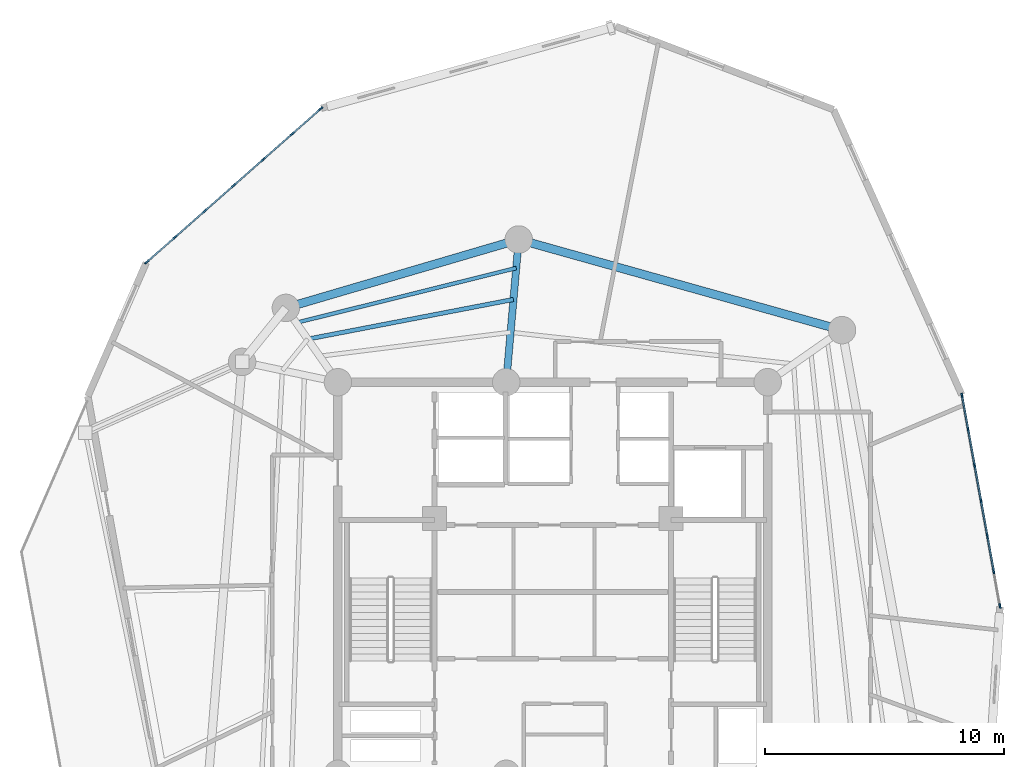
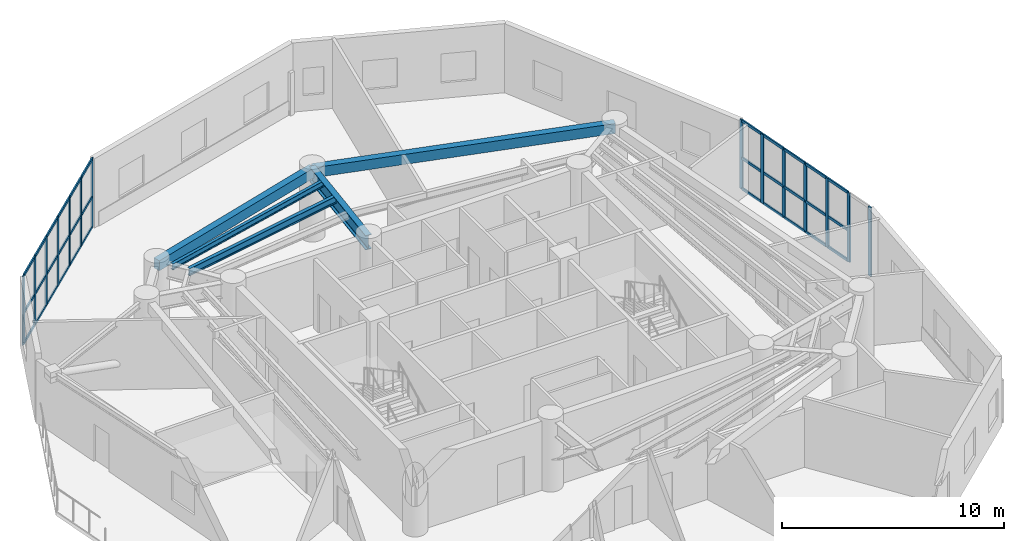
# One storey, part 4 of 12: 47 members, 5 beams, 2 elements without a shape of their own.
"""IFC4 building model written with IfcOpenShell, lengths in metres."""

from ifc_helpers import new_model, si_unit, direction, frame, origin, origin_with_axes, origin_2d, place, context, subcontext, project, spatial, rectangle, i_section, extrude, source, transform, mapped, material, layer, layer_set, material_profile, profile_set, type_object, element, aggregate, save


model = new_model("IFC4")

# Units and contexts
model_context = context("Model", 3, precision=1e-05, world=origin(), true_north=direction((0.0, 1.0)))
body_context = subcontext(model_context, "Body", "Model", "MODEL_VIEW")
ifc_project = project(units=[si_unit("LENGTHUNIT", "METRE"), si_unit("AREAUNIT", "SQUARE_METRE"), si_unit("VOLUMEUNIT", "CUBIC_METRE"), si_unit("PLANEANGLEUNIT", "RADIAN"), si_unit("MASSUNIT", "GRAM", prefix="KILO")], contexts=[model_context])

# Site, building, storey
site_placement = place(None, origin())
site = spatial("IfcSite", under=ifc_project, at=site_placement, CompositionType="ELEMENT")
building_placement = place(site_placement, origin())
building = spatial("IfcBuilding", under=site, at=building_placement, Name="Karkom Vertical University and Central Library", CompositionType="ELEMENT")
storey_placement = place(building_placement, frame((0.0, 0.0, 212.89990234375)))
storey = spatial("IfcBuildingStorey", under=building, at=storey_placement, Name="L62", CompositionType="ELEMENT", Elevation=212.89990234375)

# Beams
ifc_material_1 = material(Name="Steel S355", Category="steel")
ifc_material_profile_1 = material_profile(ifc_material_1, i_section(OverallWidth=0.300048828125, OverallDepth=0.800048828125, WebThickness=0.017578125, FlangeThickness=0.032958984375, FilletRadius=0.030029296875, at=origin_2d()), Name="HE 800 B")
ifc_profile_set_1 = profile_set([ifc_material_profile_1], Name="Steel S355")
beam_type_1 = type_object("IfcBeamType", Name="STR-BM-SB-HE800", PredefinedType="USERDEFINED", material=ifc_profile_set_1)
shared_shape_1 = source(origin_with_axes(), body_context, "Body", "SweptSolid", [
    extrude(i_section(OverallWidth=0.300048828125, OverallDepth=0.800048828125, WebThickness=0.017578125, FlangeThickness=0.032958984375, FilletRadius=0.030029296875, at=origin_2d()), origin(), (0.0, 0.0, 1.0), 6.0),
])
beam_1_placement = place(storey_placement, frame((26.550048828125, 34.699951171875, 3.400146484375), z_axis=(0.087159883478, 0.996194335816, 0.0), x_axis=(-0.996194335816, 0.087159883478, 0.0)))
element("IfcBeam", 1, at=beam_1_placement, inside=storey, type_object=beam_type_1, Name="Level 62 Radial Frame Girder 03", ObjectType="GIRDER", PredefinedType="USERDEFINED", context=body_context, shape_type="MappedRepresentation", body=[
    mapped(shared_shape_1, transform((0.0, 0.0, 0.0), scale=1.0)),
])
ifc_material_2 = material(Name="Precast concrete C45/55", Category="concrete")
ifc_material_profile_2 = material_profile(ifc_material_2, rectangle(XDim=0.35009765625, YDim=0.550048828125, at=origin_2d()), Name="SPB-350x550")
ifc_profile_set_2 = profile_set([ifc_material_profile_2], Name="Precast concrete C45/55")
beam_type_2 = type_object("IfcBeamType", Name="STR-BM-SP-2", PredefinedType="SPANDREL", material=ifc_profile_set_2)
shared_shape_2 = source(origin_with_axes(), body_context, "Body", "SweptSolid", [
    extrude(rectangle(XDim=0.35009765625, YDim=0.550048828125, at=origin_2d()), origin(), (0.0, 0.0, 1.0), 14.0625),
])
beam_2_placement = place(storey_placement, frame((40.613037109375, 36.8798828125, 3.525146484375), z_axis=(-0.962854853531, 0.270019501207, 0.0), x_axis=(-0.270019501207, -0.962854853531, 0.0)))
element("IfcBeam", 2, at=beam_2_placement, inside=storey, type_object=beam_type_2, Name="Level 62 Perimeter Spandrel Beam 02", PredefinedType="SPANDREL", context=body_context, shape_type="MappedRepresentation", body=[
    mapped(shared_shape_2, transform((0.0, 0.0, 0.0), scale=1.0)),
])
shared_shape_3 = source(origin_with_axes(), body_context, "Body", "SweptSolid", [
    extrude(rectangle(XDim=0.35009765625, YDim=0.550048828125, at=origin_2d()), origin(), (0.0, 0.0, 1.0), 10.164794921875),
])
beam_3_placement = place(storey_placement, frame((27.072998046875, 40.677001953125, 3.525146484375), z_axis=(-0.959485124536, -0.281759286971, 0.0), x_axis=(0.281759286971, -0.959485124536, 0.0)))
element("IfcBeam", 3, at=beam_3_placement, inside=storey, type_object=beam_type_2, Name="Level 62 Perimeter Spandrel Beam 03", PredefinedType="SPANDREL", context=body_context, shape_type="MappedRepresentation", body=[
    mapped(shared_shape_3, transform((0.0, 0.0, 0.0), scale=1.0)),
])
ifc_material_profile_3 = material_profile(ifc_material_1, i_section(OverallWidth=0.179931640625, OverallDepth=0.39990234375, WebThickness=0.008544921875, FlangeThickness=0.013427734375, FilletRadius=0.02099609375, at=origin_2d()), Name="IPE 400")
ifc_profile_set_3 = profile_set([ifc_material_profile_3], Name="Steel S355")
beam_type_3 = type_object("IfcBeamType", Name="STR-BM-SB-IPE400", PredefinedType="BEAM", material=ifc_profile_set_3)
shared_shape_4 = source(origin_with_axes(), body_context, "Body", "SweptSolid", [
    extrude(i_section(OverallWidth=0.179931640625, OverallDepth=0.39990234375, WebThickness=0.008544921875, FlangeThickness=0.013427734375, FilletRadius=0.02099609375, at=origin_2d()), origin(), (0.0, 0.0, 1.0), 8.7763671875),
])
beam_4_placement = place(storey_placement, frame((26.853271484375, 38.166748046875, 3.60009765625), z_axis=(-0.981924209256, -0.189274528862, 0.0), x_axis=(0.189274528862, -0.981924209256, 0.0)))
element("IfcBeam", 4, at=beam_4_placement, inside=storey, type_object=beam_type_3, Name="Level 62 Secondary Composite Floor Beam 2.03", PredefinedType="BEAM", context=body_context, shape_type="MappedRepresentation", body=[
    mapped(shared_shape_4, transform((0.0, 0.0, 0.0), scale=1.0)),
])
ifc_material_profile_4 = material_profile(ifc_material_1, i_section(OverallWidth=0.159912109375, OverallDepth=0.330078125, WebThickness=0.007568359375, FlangeThickness=0.011474609375, FilletRadius=0.01806640625, at=origin_2d()), Name="IPE 330")
ifc_profile_set_4 = profile_set([ifc_material_profile_4], Name="Steel S355")
beam_type_4 = type_object("IfcBeamType", Name="STR-BM-SB-IPE330", PredefinedType="BEAM", material=ifc_profile_set_4)
shared_shape_5 = source(origin_with_axes(), body_context, "Body", "SweptSolid", [
    extrude(i_section(OverallWidth=0.159912109375, OverallDepth=0.330078125, WebThickness=0.007568359375, FlangeThickness=0.011474609375, FilletRadius=0.01806640625, at=origin_2d()), origin(), (0.0, 0.0, 1.0), 9.4931640625),
])
beam_5_placement = place(storey_placement, frame((26.968505859375, 39.481689453125, 3.635009765625), z_axis=(-0.970435275293, -0.241361505767, 0.0), x_axis=(0.241361505767, -0.970435275293, 0.0)))
element("IfcBeam", 5, at=beam_5_placement, inside=storey, type_object=beam_type_4, Name="Level 62 Secondary Composite Floor Beam 3.03", PredefinedType="BEAM", context=body_context, shape_type="MappedRepresentation", body=[
    mapped(shared_shape_5, transform((0.0, 0.0, 0.0), scale=1.0)),
])

# Curtain wall, members
ifc_material_3 = material(Name="Aluminium curtain-wall framing and low-E IGU", Category="aluminium")
ifc_layer = layer(ifc_material_3, 0.199951171875)
ifc_layer_set = layer_set([ifc_layer], Name="Aluminium curtain-wall framing and low-E IGU")
curtain_wall_type = type_object("IfcCurtainWallType", Name="ENV-CW-5", PredefinedType="USERDEFINED", material=ifc_layer_set)
curtain_wall_1_placement = place(storey_placement, origin())
curtain_wall_1 = element("IfcCurtainWall", 6, at=curtain_wall_1_placement, inside=storey, type_object=curtain_wall_type, Name="Level 62 CW-5 Curtain Wall L62-CW5-06", ObjectType="UNITISED GLAZING", PredefinedType="USERDEFINED")
ifc_material_4 = material(Name="Anodised Aluminium 6063-T6", Category="aluminium")
ifc_material_profile_5 = material_profile(ifc_material_4, rectangle(XDim=0.070068359375, YDim=0.199951171875, at=origin_2d()), Name="ALU-M70x200")
ifc_profile_set_5 = profile_set([ifc_material_profile_5], Name="Anodised Aluminium 6063-T6")
member_type_1 = type_object("IfcMemberType", Name="ENV-MEM-ALU-M70x200", PredefinedType="MULLION", material=ifc_profile_set_5)
shared_shape_6 = source(origin_with_axes(), body_context, "Body", "SweptSolid", [
    extrude(rectangle(XDim=0.070068359375, YDim=0.199951171875, at=origin_2d()), origin(), (0.0, 0.0, 1.0), 3.800048828125),
])
member_1_placement = place(storey_placement, frame((47.2275390625, 25.333251953125, 0.0), z_axis=(0.0, 0.0, 1.0), x_axis=(-0.984071738605, -0.177771801137, 0.0)))
member_1 = element("IfcMember", 7, at=member_1_placement, type_object=member_type_1, Name="CW-5 mullion 1", PredefinedType="MULLION", context=body_context, shape_type="MappedRepresentation", body=[
    mapped(shared_shape_6, transform((0.0, 0.0, 0.0), scale=1.0)),
])
member_2_placement = place(storey_placement, frame((46.96630859375, 26.77880859375, 0.0), z_axis=(0.0, 0.0, 1.0), x_axis=(-0.984071738605, -0.177771801137, 0.0)))
member_2 = element("IfcMember", 8, at=member_2_placement, type_object=member_type_1, Name="CW-5 mullion 2", PredefinedType="MULLION", context=body_context, shape_type="MappedRepresentation", body=[
    mapped(shared_shape_6, transform((0.0, 0.0, 0.0), scale=1.0)),
])
member_3_placement = place(storey_placement, frame((46.698974609375, 28.259033203125, 0.0), z_axis=(0.0, 0.0, 1.0), x_axis=(-0.984071738605, -0.177771801137, 0.0)))
member_3 = element("IfcMember", 9, at=member_3_placement, type_object=member_type_1, Name="CW-5 mullion 3", PredefinedType="MULLION", context=body_context, shape_type="MappedRepresentation", body=[
    mapped(shared_shape_6, transform((0.0, 0.0, 0.0), scale=1.0)),
])
member_4_placement = place(storey_placement, frame((46.431640625, 29.7392578125, 0.0), z_axis=(0.0, 0.0, 1.0), x_axis=(-0.984071738605, -0.177771801137, 0.0)))
member_4 = element("IfcMember", 10, at=member_4_placement, type_object=member_type_1, Name="CW-5 mullion 4", PredefinedType="MULLION", context=body_context, shape_type="MappedRepresentation", body=[
    mapped(shared_shape_6, transform((0.0, 0.0, 0.0), scale=1.0)),
])
member_5_placement = place(storey_placement, frame((46.164306640625, 31.219482421875, 0.0), z_axis=(0.0, 0.0, 1.0), x_axis=(-0.984071738605, -0.177771801137, 0.0)))
member_5 = element("IfcMember", 11, at=member_5_placement, type_object=member_type_1, Name="CW-5 mullion 5", PredefinedType="MULLION", context=body_context, shape_type="MappedRepresentation", body=[
    mapped(shared_shape_6, transform((0.0, 0.0, 0.0), scale=1.0)),
])
member_6_placement = place(storey_placement, frame((45.896728515625, 32.69970703125, 0.0), z_axis=(0.0, 0.0, 1.0), x_axis=(-0.984071738605, -0.177771801137, 0.0)))
member_6 = element("IfcMember", 12, at=member_6_placement, type_object=member_type_1, Name="CW-5 mullion 6", PredefinedType="MULLION", context=body_context, shape_type="MappedRepresentation", body=[
    mapped(shared_shape_6, transform((0.0, 0.0, 0.0), scale=1.0)),
])
member_7_placement = place(storey_placement, frame((45.6357421875, 34.1455078125, 0.0), z_axis=(0.0, 0.0, 1.0), x_axis=(-0.984071738605, -0.177771801137, 0.0)))
member_7 = element("IfcMember", 13, at=member_7_placement, type_object=member_type_1, Name="CW-5 mullion 7", PredefinedType="MULLION", context=body_context, shape_type="MappedRepresentation", body=[
    mapped(shared_shape_6, transform((0.0, 0.0, 0.0), scale=1.0)),
])

curtain_wall_2_placement = place(storey_placement, origin())
curtain_wall_2 = element("IfcCurtainWall", 14, at=curtain_wall_2_placement, inside=storey, type_object=curtain_wall_type, Name="Level 62 CW-5 Curtain Wall L62-CW5-10", ObjectType="UNITISED GLAZING", PredefinedType="USERDEFINED")
member_8_placement = place(storey_placement, frame((18.781494140625, 46.156005859375, 0.0), z_axis=(0.0, 0.0, 1.0), x_axis=(0.661407692601, -0.750026575642, 0.0)))
member_8 = element("IfcMember", 15, at=member_8_placement, type_object=member_type_1, Name="CW-5 mullion 1", PredefinedType="MULLION", context=body_context, shape_type="MappedRepresentation", body=[
    mapped(shared_shape_6, transform((0.0, 0.0, 0.0), scale=1.0)),
])
member_9_placement = place(storey_placement, frame((17.58447265625, 45.100341796875, 0.0), z_axis=(0.0, 0.0, 1.0), x_axis=(0.661407692601, -0.750026575642, 0.0)))
member_9 = element("IfcMember", 16, at=member_9_placement, type_object=member_type_1, Name="CW-5 mullion 2", PredefinedType="MULLION", context=body_context, shape_type="MappedRepresentation", body=[
    mapped(shared_shape_6, transform((0.0, 0.0, 0.0), scale=1.0)),
])
member_10_placement = place(storey_placement, frame((16.361083984375, 44.021484375, 0.0), z_axis=(0.0, 0.0, 1.0), x_axis=(0.661407692601, -0.750026575642, 0.0)))
member_10 = element("IfcMember", 17, at=member_10_placement, type_object=member_type_1, Name="CW-5 mullion 3", PredefinedType="MULLION", context=body_context, shape_type="MappedRepresentation", body=[
    mapped(shared_shape_6, transform((0.0, 0.0, 0.0), scale=1.0)),
])
member_11_placement = place(storey_placement, frame((15.1376953125, 42.942626953125, 0.0), z_axis=(0.0, 0.0, 1.0), x_axis=(0.661407692601, -0.750026575642, 0.0)))
member_11 = element("IfcMember", 18, at=member_11_placement, type_object=member_type_1, Name="CW-5 mullion 4", PredefinedType="MULLION", context=body_context, shape_type="MappedRepresentation", body=[
    mapped(shared_shape_6, transform((0.0, 0.0, 0.0), scale=1.0)),
])
member_12_placement = place(storey_placement, frame((13.914306640625, 41.86376953125, 0.0), z_axis=(0.0, 0.0, 1.0), x_axis=(0.661407692601, -0.750026575642, 0.0)))
member_12 = element("IfcMember", 19, at=member_12_placement, type_object=member_type_1, Name="CW-5 mullion 5", PredefinedType="MULLION", context=body_context, shape_type="MappedRepresentation", body=[
    mapped(shared_shape_6, transform((0.0, 0.0, 0.0), scale=1.0)),
])
member_13_placement = place(storey_placement, frame((12.69091796875, 40.784912109375, 0.0), z_axis=(0.0, 0.0, 1.0), x_axis=(0.661407692601, -0.750026575642, 0.0)))
member_13 = element("IfcMember", 20, at=member_13_placement, type_object=member_type_1, Name="CW-5 mullion 6", PredefinedType="MULLION", context=body_context, shape_type="MappedRepresentation", body=[
    mapped(shared_shape_6, transform((0.0, 0.0, 0.0), scale=1.0)),
])
member_14_placement = place(storey_placement, frame((11.49365234375, 39.729248046875, 0.0), z_axis=(0.0, 0.0, 1.0), x_axis=(0.661407692601, -0.750026575642, 0.0)))
member_14 = element("IfcMember", 21, at=member_14_placement, type_object=member_type_1, Name="CW-5 mullion 7", PredefinedType="MULLION", context=body_context, shape_type="MappedRepresentation", body=[
    mapped(shared_shape_6, transform((0.0, 0.0, 0.0), scale=1.0)),
])
ifc_material_profile_6 = material_profile(ifc_material_4, rectangle(XDim=0.070068359375, YDim=0.14990234375, at=origin_2d()), Name="ALU-T70x150")
ifc_profile_set_6 = profile_set([ifc_material_profile_6], Name="Anodised Aluminium 6063-T6")
member_type_2 = type_object("IfcMemberType", Name="ENV-MEM-ALU-T70x150", PredefinedType="USERDEFINED", material=ifc_profile_set_6)
shared_shape_7 = source(origin_with_axes(), body_context, "Body", "SweptSolid", [
    extrude(rectangle(XDim=0.070068359375, YDim=0.14990234375, at=origin_2d()), origin(), (0.0, 0.0, 1.0), 1.52587890625),
])
member_15_placement = place(storey_placement, frame((12.66455078125, 40.76171875, 0.03515625), z_axis=(-0.750033919332, -0.661399364871, 0.0), x_axis=(0.661399364871, -0.750033919332, 0.0)))
member_15 = element("IfcMember", 22, at=member_15_placement, type_object=member_type_2, Name="CW-5 transom 6.1", ObjectType="TRANSOM", PredefinedType="USERDEFINED", context=body_context, shape_type="MappedRepresentation", body=[
    mapped(shared_shape_7, transform((0.0, 0.0, 0.0), scale=1.0)),
])
member_16_placement = place(storey_placement, frame((12.66455078125, 40.76171875, 1.710205078125), z_axis=(-0.750033919332, -0.661399364871, 0.0), x_axis=(0.661399364871, -0.750033919332, 0.0)))
member_16 = element("IfcMember", 23, at=member_16_placement, type_object=member_type_2, Name="CW-5 transom 6.2", ObjectType="TRANSOM", PredefinedType="USERDEFINED", context=body_context, shape_type="MappedRepresentation", body=[
    mapped(shared_shape_7, transform((0.0, 0.0, 0.0), scale=1.0)),
])
member_17_placement = place(storey_placement, frame((12.66455078125, 40.76171875, 3.76513671875), z_axis=(-0.750033919332, -0.661399364871, 0.0), x_axis=(0.661399364871, -0.750033919332, 0.0)))
member_17 = element("IfcMember", 24, at=member_17_placement, type_object=member_type_2, Name="CW-5 transom 6.3", ObjectType="TRANSOM", PredefinedType="USERDEFINED", context=body_context, shape_type="MappedRepresentation", body=[
    mapped(shared_shape_7, transform((0.0, 0.0, 0.0), scale=1.0)),
])
shared_shape_8 = source(origin_with_axes(), body_context, "Body", "SweptSolid", [
    extrude(rectangle(XDim=0.070068359375, YDim=0.14990234375, at=origin_2d()), origin(), (0.0, 0.0, 1.0), 1.56103515625),
])
member_18_placement = place(storey_placement, frame((17.55810546875, 45.0771484375, 0.03515625), z_axis=(-0.750052321432, -0.661378496108, 0.0), x_axis=(0.661378496108, -0.750052321432, 0.0)))
member_18 = element("IfcMember", 25, at=member_18_placement, type_object=member_type_2, Name="CW-5 transom 2.1", ObjectType="TRANSOM", PredefinedType="USERDEFINED", context=body_context, shape_type="MappedRepresentation", body=[
    mapped(shared_shape_8, transform((0.0, 0.0, 0.0), scale=1.0)),
])
member_19_placement = place(storey_placement, frame((17.55810546875, 45.0771484375, 1.710205078125), z_axis=(-0.750052321432, -0.661378496108, 0.0), x_axis=(0.661378496108, -0.750052321432, 0.0)))
member_19 = element("IfcMember", 26, at=member_19_placement, type_object=member_type_2, Name="CW-5 transom 2.2", ObjectType="TRANSOM", PredefinedType="USERDEFINED", context=body_context, shape_type="MappedRepresentation", body=[
    mapped(shared_shape_8, transform((0.0, 0.0, 0.0), scale=1.0)),
])
member_20_placement = place(storey_placement, frame((17.55810546875, 45.0771484375, 3.76513671875), z_axis=(-0.750052321432, -0.661378496108, 0.0), x_axis=(0.661378496108, -0.750052321432, 0.0)))
member_20 = element("IfcMember", 27, at=member_20_placement, type_object=member_type_2, Name="CW-5 transom 2.3", ObjectType="TRANSOM", PredefinedType="USERDEFINED", context=body_context, shape_type="MappedRepresentation", body=[
    mapped(shared_shape_8, transform((0.0, 0.0, 0.0), scale=1.0)),
])
member_21_placement = place(storey_placement, frame((16.334716796875, 43.998291015625, 0.03515625), z_axis=(-0.750052321432, -0.661378496108, 0.0), x_axis=(0.661378496108, -0.750052321432, 0.0)))
member_21 = element("IfcMember", 28, at=member_21_placement, type_object=member_type_2, Name="CW-5 transom 3.1", ObjectType="TRANSOM", PredefinedType="USERDEFINED", context=body_context, shape_type="MappedRepresentation", body=[
    mapped(shared_shape_8, transform((0.0, 0.0, 0.0), scale=1.0)),
])
member_22_placement = place(storey_placement, frame((16.334716796875, 43.998291015625, 1.710205078125), z_axis=(-0.750052321432, -0.661378496108, 0.0), x_axis=(0.661378496108, -0.750052321432, 0.0)))
member_22 = element("IfcMember", 29, at=member_22_placement, type_object=member_type_2, Name="CW-5 transom 3.2", ObjectType="TRANSOM", PredefinedType="USERDEFINED", context=body_context, shape_type="MappedRepresentation", body=[
    mapped(shared_shape_8, transform((0.0, 0.0, 0.0), scale=1.0)),
])
member_23_placement = place(storey_placement, frame((16.334716796875, 43.998291015625, 3.76513671875), z_axis=(-0.750052321432, -0.661378496108, 0.0), x_axis=(0.661378496108, -0.750052321432, 0.0)))
member_23 = element("IfcMember", 30, at=member_23_placement, type_object=member_type_2, Name="CW-5 transom 3.3", ObjectType="TRANSOM", PredefinedType="USERDEFINED", context=body_context, shape_type="MappedRepresentation", body=[
    mapped(shared_shape_8, transform((0.0, 0.0, 0.0), scale=1.0)),
])
member_24_placement = place(storey_placement, frame((15.111328125, 42.91943359375, 0.03515625), z_axis=(-0.750052321432, -0.661378496108, 0.0), x_axis=(0.661378496108, -0.750052321432, 0.0)))
member_24 = element("IfcMember", 31, at=member_24_placement, type_object=member_type_2, Name="CW-5 transom 4.1", ObjectType="TRANSOM", PredefinedType="USERDEFINED", context=body_context, shape_type="MappedRepresentation", body=[
    mapped(shared_shape_8, transform((0.0, 0.0, 0.0), scale=1.0)),
])
member_25_placement = place(storey_placement, frame((15.111328125, 42.91943359375, 1.710205078125), z_axis=(-0.750052321432, -0.661378496108, 0.0), x_axis=(0.661378496108, -0.750052321432, 0.0)))
member_25 = element("IfcMember", 32, at=member_25_placement, type_object=member_type_2, Name="CW-5 transom 4.2", ObjectType="TRANSOM", PredefinedType="USERDEFINED", context=body_context, shape_type="MappedRepresentation", body=[
    mapped(shared_shape_8, transform((0.0, 0.0, 0.0), scale=1.0)),
])
member_26_placement = place(storey_placement, frame((15.111328125, 42.91943359375, 3.76513671875), z_axis=(-0.750052321432, -0.661378496108, 0.0), x_axis=(0.661378496108, -0.750052321432, 0.0)))
member_26 = element("IfcMember", 33, at=member_26_placement, type_object=member_type_2, Name="CW-5 transom 4.3", ObjectType="TRANSOM", PredefinedType="USERDEFINED", context=body_context, shape_type="MappedRepresentation", body=[
    mapped(shared_shape_8, transform((0.0, 0.0, 0.0), scale=1.0)),
])
member_27_placement = place(storey_placement, frame((13.887939453125, 41.840576171875, 0.03515625), z_axis=(-0.750052321432, -0.661378496108, 0.0), x_axis=(0.661378496108, -0.750052321432, 0.0)))
member_27 = element("IfcMember", 34, at=member_27_placement, type_object=member_type_2, Name="CW-5 transom 5.1", ObjectType="TRANSOM", PredefinedType="USERDEFINED", context=body_context, shape_type="MappedRepresentation", body=[
    mapped(shared_shape_8, transform((0.0, 0.0, 0.0), scale=1.0)),
])
member_28_placement = place(storey_placement, frame((13.887939453125, 41.840576171875, 1.710205078125), z_axis=(-0.750052321432, -0.661378496108, 0.0), x_axis=(0.661378496108, -0.750052321432, 0.0)))
member_28 = element("IfcMember", 35, at=member_28_placement, type_object=member_type_2, Name="CW-5 transom 5.2", ObjectType="TRANSOM", PredefinedType="USERDEFINED", context=body_context, shape_type="MappedRepresentation", body=[
    mapped(shared_shape_8, transform((0.0, 0.0, 0.0), scale=1.0)),
])
member_29_placement = place(storey_placement, frame((13.887939453125, 41.840576171875, 3.76513671875), z_axis=(-0.750052321432, -0.661378496108, 0.0), x_axis=(0.661378496108, -0.750052321432, 0.0)))
member_29 = element("IfcMember", 36, at=member_29_placement, type_object=member_type_2, Name="CW-5 transom 5.3", ObjectType="TRANSOM", PredefinedType="USERDEFINED", context=body_context, shape_type="MappedRepresentation", body=[
    mapped(shared_shape_8, transform((0.0, 0.0, 0.0), scale=1.0)),
])
shared_shape_9 = source(origin_with_axes(), body_context, "Body", "SweptSolid", [
    extrude(rectangle(XDim=0.070068359375, YDim=0.14990234375, at=origin_2d()), origin(), (0.0, 0.0, 1.0), 1.526123046875),
])
member_30_placement = place(storey_placement, frame((18.75537109375, 46.1328125, 0.03515625), z_axis=(-0.750103894295, -0.661320004055, 0.0), x_axis=(0.661320004055, -0.750103894295, 0.0)))
member_30 = element("IfcMember", 37, at=member_30_placement, type_object=member_type_2, Name="CW-5 transom 1.1", ObjectType="TRANSOM", PredefinedType="USERDEFINED", context=body_context, shape_type="MappedRepresentation", body=[
    mapped(shared_shape_9, transform((0.0, 0.0, 0.0), scale=1.0)),
])
member_31_placement = place(storey_placement, frame((18.75537109375, 46.1328125, 1.710205078125), z_axis=(-0.750103894295, -0.661320004055, 0.0), x_axis=(0.661320004055, -0.750103894295, 0.0)))
member_31 = element("IfcMember", 38, at=member_31_placement, type_object=member_type_2, Name="CW-5 transom 1.2", ObjectType="TRANSOM", PredefinedType="USERDEFINED", context=body_context, shape_type="MappedRepresentation", body=[
    mapped(shared_shape_9, transform((0.0, 0.0, 0.0), scale=1.0)),
])
member_32_placement = place(storey_placement, frame((18.75537109375, 46.1328125, 3.76513671875), z_axis=(-0.750103894295, -0.661320004055, 0.0), x_axis=(0.661320004055, -0.750103894295, 0.0)))
member_32 = element("IfcMember", 39, at=member_32_placement, type_object=member_type_2, Name="CW-5 transom 1.3", ObjectType="TRANSOM", PredefinedType="USERDEFINED", context=body_context, shape_type="MappedRepresentation", body=[
    mapped(shared_shape_9, transform((0.0, 0.0, 0.0), scale=1.0)),
])
aggregate(curtain_wall_2, [member_8, member_9, member_10, member_11, member_12, member_13, member_14, member_30, member_31, member_32, member_18, member_19, member_20, member_21, member_22, member_23, member_24, member_25, member_26, member_27, member_28, member_29, member_15, member_16, member_17])

# Member
shared_shape_10 = source(origin_with_axes(), body_context, "Body", "SweptSolid", [
    extrude(rectangle(XDim=0.070068359375, YDim=0.14990234375, at=origin_2d()), origin(), (0.0, 0.0, 1.0), 1.43408203125),
])
member_33_placement = place(storey_placement, frame((46.960205078125, 26.8134765625, 0.03515625), z_axis=(-0.177746650202, 0.98407628177, 0.0), x_axis=(-0.98407628177, -0.177746650202, 0.0)))
member_33 = element("IfcMember", 40, at=member_33_placement, type_object=member_type_2, Name="CW-5 transom 2.1", ObjectType="TRANSOM", PredefinedType="USERDEFINED", context=body_context, shape_type="MappedRepresentation", body=[
    mapped(shared_shape_10, transform((0.0, 0.0, 0.0), scale=1.0)),
])

member_34_placement = place(storey_placement, frame((46.960205078125, 26.8134765625, 1.710205078125), z_axis=(-0.177746650202, 0.98407628177, 0.0), x_axis=(-0.98407628177, -0.177746650202, 0.0)))
member_34 = element("IfcMember", 41, at=member_34_placement, type_object=member_type_2, Name="CW-5 transom 2.2", ObjectType="TRANSOM", PredefinedType="USERDEFINED", context=body_context, shape_type="MappedRepresentation", body=[
    mapped(shared_shape_10, transform((0.0, 0.0, 0.0), scale=1.0)),
])

member_35_placement = place(storey_placement, frame((46.960205078125, 26.8134765625, 3.76513671875), z_axis=(-0.177746650202, 0.98407628177, 0.0), x_axis=(-0.98407628177, -0.177746650202, 0.0)))
member_35 = element("IfcMember", 42, at=member_35_placement, type_object=member_type_2, Name="CW-5 transom 2.3", ObjectType="TRANSOM", PredefinedType="USERDEFINED", context=body_context, shape_type="MappedRepresentation", body=[
    mapped(shared_shape_10, transform((0.0, 0.0, 0.0), scale=1.0)),
])

shared_shape_11 = source(origin_with_axes(), body_context, "Body", "SweptSolid", [
    extrude(rectangle(XDim=0.070068359375, YDim=0.14990234375, at=origin_2d()), origin(), (0.0, 0.0, 1.0), 1.434326171875),
])
member_36_placement = place(storey_placement, frame((46.69287109375, 28.29345703125, 0.03515625), z_axis=(-0.177881717753, 0.984051875914, 0.0), x_axis=(-0.984051875914, -0.177881717753, 0.0)))
member_36 = element("IfcMember", 43, at=member_36_placement, type_object=member_type_2, Name="CW-5 transom 3.1", ObjectType="TRANSOM", PredefinedType="USERDEFINED", context=body_context, shape_type="MappedRepresentation", body=[
    mapped(shared_shape_11, transform((0.0, 0.0, 0.0), scale=1.0)),
])

member_37_placement = place(storey_placement, frame((46.69287109375, 28.29345703125, 1.710205078125), z_axis=(-0.177881717753, 0.984051875914, 0.0), x_axis=(-0.984051875914, -0.177881717753, 0.0)))
member_37 = element("IfcMember", 44, at=member_37_placement, type_object=member_type_2, Name="CW-5 transom 3.2", ObjectType="TRANSOM", PredefinedType="USERDEFINED", context=body_context, shape_type="MappedRepresentation", body=[
    mapped(shared_shape_11, transform((0.0, 0.0, 0.0), scale=1.0)),
])

member_38_placement = place(storey_placement, frame((46.69287109375, 28.29345703125, 3.76513671875), z_axis=(-0.177881717753, 0.984051875914, 0.0), x_axis=(-0.984051875914, -0.177881717753, 0.0)))
member_38 = element("IfcMember", 45, at=member_38_placement, type_object=member_type_2, Name="CW-5 transom 3.3", ObjectType="TRANSOM", PredefinedType="USERDEFINED", context=body_context, shape_type="MappedRepresentation", body=[
    mapped(shared_shape_11, transform((0.0, 0.0, 0.0), scale=1.0)),
])

member_39_placement = place(storey_placement, frame((46.42529296875, 29.773681640625, 0.03515625), z_axis=(-0.177716874669, 0.984081659446, 0.0), x_axis=(-0.984081659446, -0.177716874669, 0.0)))
member_39 = element("IfcMember", 46, at=member_39_placement, type_object=member_type_2, Name="CW-5 transom 4.1", ObjectType="TRANSOM", PredefinedType="USERDEFINED", context=body_context, shape_type="MappedRepresentation", body=[
    mapped(shared_shape_11, transform((0.0, 0.0, 0.0), scale=1.0)),
])

member_40_placement = place(storey_placement, frame((46.42529296875, 29.773681640625, 1.710205078125), z_axis=(-0.177716874669, 0.984081659446, 0.0), x_axis=(-0.984081659446, -0.177716874669, 0.0)))
member_40 = element("IfcMember", 47, at=member_40_placement, type_object=member_type_2, Name="CW-5 transom 4.2", ObjectType="TRANSOM", PredefinedType="USERDEFINED", context=body_context, shape_type="MappedRepresentation", body=[
    mapped(shared_shape_11, transform((0.0, 0.0, 0.0), scale=1.0)),
])

member_41_placement = place(storey_placement, frame((46.42529296875, 29.773681640625, 3.76513671875), z_axis=(-0.177716874669, 0.984081659446, 0.0), x_axis=(-0.984081659446, -0.177716874669, 0.0)))
member_41 = element("IfcMember", 48, at=member_41_placement, type_object=member_type_2, Name="CW-5 transom 4.3", ObjectType="TRANSOM", PredefinedType="USERDEFINED", context=body_context, shape_type="MappedRepresentation", body=[
    mapped(shared_shape_11, transform((0.0, 0.0, 0.0), scale=1.0)),
])

member_42_placement = place(storey_placement, frame((46.157958984375, 31.25390625, 0.03515625), z_axis=(-0.177716874669, 0.984081659446, 0.0), x_axis=(-0.984081659446, -0.177716874669, 0.0)))
member_42 = element("IfcMember", 49, at=member_42_placement, type_object=member_type_2, Name="CW-5 transom 5.1", ObjectType="TRANSOM", PredefinedType="USERDEFINED", context=body_context, shape_type="MappedRepresentation", body=[
    mapped(shared_shape_11, transform((0.0, 0.0, 0.0), scale=1.0)),
])

member_43_placement = place(storey_placement, frame((46.157958984375, 31.25390625, 1.710205078125), z_axis=(-0.177716874669, 0.984081659446, 0.0), x_axis=(-0.984081659446, -0.177716874669, 0.0)))
member_43 = element("IfcMember", 50, at=member_43_placement, type_object=member_type_2, Name="CW-5 transom 5.2", ObjectType="TRANSOM", PredefinedType="USERDEFINED", context=body_context, shape_type="MappedRepresentation", body=[
    mapped(shared_shape_11, transform((0.0, 0.0, 0.0), scale=1.0)),
])

member_44_placement = place(storey_placement, frame((46.157958984375, 31.25390625, 3.76513671875), z_axis=(-0.177716874669, 0.984081659446, 0.0), x_axis=(-0.984081659446, -0.177716874669, 0.0)))
member_44 = element("IfcMember", 51, at=member_44_placement, type_object=member_type_2, Name="CW-5 transom 5.3", ObjectType="TRANSOM", PredefinedType="USERDEFINED", context=body_context, shape_type="MappedRepresentation", body=[
    mapped(shared_shape_11, transform((0.0, 0.0, 0.0), scale=1.0)),
])

shared_shape_12 = source(origin_with_axes(), body_context, "Body", "SweptSolid", [
    extrude(rectangle(XDim=0.070068359375, YDim=0.14990234375, at=origin_2d()), origin(), (0.0, 0.0, 1.0), 1.399169921875),
])
member_45_placement = place(storey_placement, frame((45.890625, 32.734130859375, 0.03515625), z_axis=(-0.177795177, 0.984067515486, 0.0), x_axis=(-0.984067515486, -0.177795177, 0.0)))
member_45 = element("IfcMember", 52, at=member_45_placement, type_object=member_type_2, Name="CW-5 transom 6.1", ObjectType="TRANSOM", PredefinedType="USERDEFINED", context=body_context, shape_type="MappedRepresentation", body=[
    mapped(shared_shape_12, transform((0.0, 0.0, 0.0), scale=1.0)),
])

member_46_placement = place(storey_placement, frame((45.890625, 32.734130859375, 1.710205078125), z_axis=(-0.177795177, 0.984067515486, 0.0), x_axis=(-0.984067515486, -0.177795177, 0.0)))
member_46 = element("IfcMember", 53, at=member_46_placement, type_object=member_type_2, Name="CW-5 transom 6.2", ObjectType="TRANSOM", PredefinedType="USERDEFINED", context=body_context, shape_type="MappedRepresentation", body=[
    mapped(shared_shape_12, transform((0.0, 0.0, 0.0), scale=1.0)),
])

member_47_placement = place(storey_placement, frame((45.890625, 32.734130859375, 3.76513671875), z_axis=(-0.177795177, 0.984067515486, 0.0), x_axis=(-0.984067515486, -0.177795177, 0.0)))
member_47 = element("IfcMember", 54, at=member_47_placement, type_object=member_type_2, Name="CW-5 transom 6.3", ObjectType="TRANSOM", PredefinedType="USERDEFINED", context=body_context, shape_type="MappedRepresentation", body=[
    mapped(shared_shape_12, transform((0.0, 0.0, 0.0), scale=1.0)),
])

aggregate(curtain_wall_1, [member_1, member_2, member_3, member_4, member_5, member_6, member_7, member_33, member_34, member_35, member_36, member_37, member_38, member_39, member_40, member_41, member_42, member_43, member_44, member_45, member_46, member_47])

save(model, "model.ifc")
